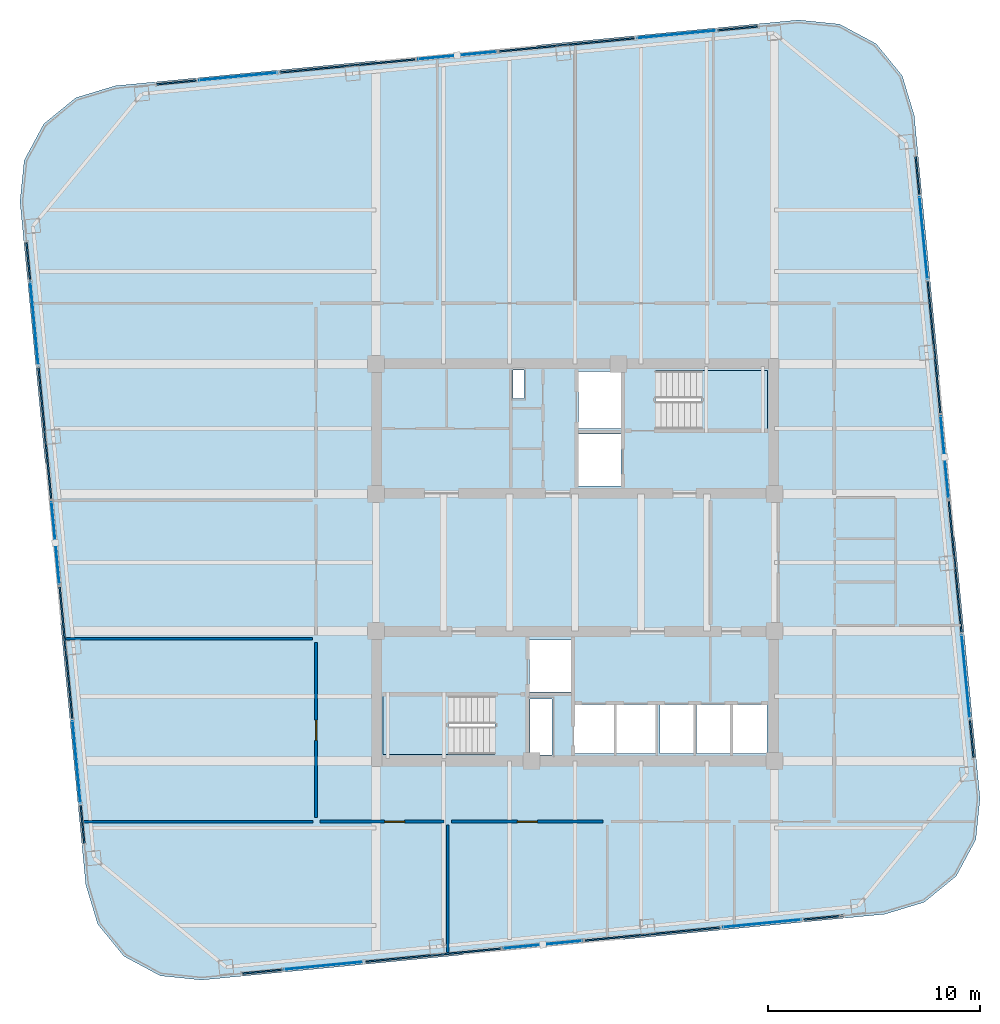
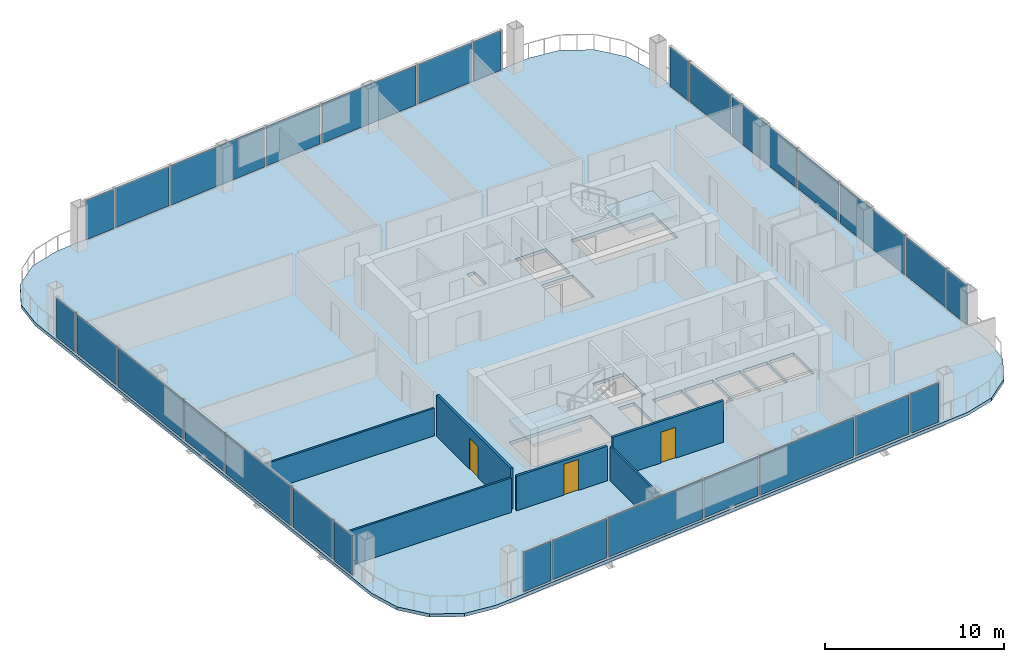
# One storey, part 16 of 22: 28 plates, 6 walls, 3 doors, 3 slabs, 3 openings, 30 elements without a shape of their own.
"""IFC4 building model written with IfcOpenShell, lengths in metres."""

from ifc_helpers import new_model, si_unit, direction, frame, frame_2d, origin, origin_2d, place, context, subcontext, project, spatial, polyline, rectangle, outline, extrude, material, layer, layer_set, type_object, element, fill, aggregate, save


model = new_model("IFC4")

# Units and contexts
model_context = context("Model", 3, precision=1e-05, world=origin(), true_north=direction((0.0, 1.0)))
body_context = subcontext(model_context, "Body", "Model", "MODEL_VIEW")
ifc_project = project(units=[si_unit("LENGTHUNIT", "METRE"), si_unit("AREAUNIT", "SQUARE_METRE"), si_unit("VOLUMEUNIT", "CUBIC_METRE"), si_unit("PLANEANGLEUNIT", "RADIAN"), si_unit("MASSUNIT", "GRAM", prefix="KILO")], contexts=[model_context])

# Site, building, storey
site_placement = place(None, origin())
site = spatial("IfcSite", under=ifc_project, at=site_placement, CompositionType="ELEMENT")
building_placement = place(site_placement, origin())
building = spatial("IfcBuilding", under=site, at=building_placement, Name="Qhalaya Broadcast Tower", CompositionType="ELEMENT")
storey_placement = place(building_placement, frame((0.0, 0.0, 174.449951171875)))
storey = spatial("IfcBuildingStorey", under=building, at=storey_placement, Name="L51", CompositionType="ELEMENT", Elevation=174.449951171875)

# Curtain wall, plate
ifc_material_1 = material(Name="Fired Architectural Terracotta", Category="masonry")
ifc_layer_1 = layer(ifc_material_1, 0.219970703125, Name="Fired Architectural Terracotta")
ifc_layer_set_1 = layer_set([ifc_layer_1], Name="Fired Architectural Terracotta")
curtain_wall_type_1 = type_object("IfcCurtainWallType", Name="Block-Cap Unitised Terracotta Spandrel Wall CW-07", PredefinedType="NOTDEFINED", material=ifc_layer_set_1)
curtain_wall_1_placement = place(storey_placement, origin())
curtain_wall_1 = element("IfcCurtainWall", 1, at=curtain_wall_1_placement, inside=storey, type_object=curtain_wall_type_1, Name="L51 Unitised Curtain Wall L51-CW-S1", PredefinedType="NOTDEFINED")
ifc_layer_2 = layer(ifc_material_1, 0.080078125, Name="Fired Architectural Terracotta")
ifc_layer_set_2 = layer_set([ifc_layer_2], Name="Fired Architectural Terracotta")
plate_type_1 = type_object("IfcPlateType", Name="Insulated Terracotta Spandrel Panel TSP-07", PredefinedType="CURTAIN_PANEL", material=ifc_layer_set_2)
plate_1_placement = place(storey_placement, frame((-14.751708984375, -18.666748046875, 0.0751953125), z_axis=(0.0, 0.0, 1.0), x_axis=(0.995396068977, 0.095847096282, 0.0)))
plate_1 = element("IfcPlate", 2, at=plate_1_placement, type_object=plate_type_1, Name="CW-07 panel 1.1", PredefinedType="CURTAIN_PANEL", context=body_context, shape_type="SweptSolid", body=[
    extrude(rectangle(XDim=1.873046875, YDim=0.080078125, at=origin_2d()), origin(), (0.0, 0.0, 1.0), 2.679931640625),
])
aggregate(curtain_wall_1, [plate_1])

curtain_wall_2_placement = place(storey_placement, origin())
curtain_wall_2 = element("IfcCurtainWall", 3, at=curtain_wall_2_placement, inside=storey, type_object=curtain_wall_type_1, Name="L51 Unitised Curtain Wall L51-CW-S3", PredefinedType="NOTDEFINED")
plate_2_placement = place(storey_placement, frame((-6.683837890625, -17.89013671875, 0.0751953125), z_axis=(0.0, 0.0, 1.0), x_axis=(0.995396395442, 0.095843705796, 0.0)))
plate_2 = element("IfcPlate", 4, at=plate_2_placement, type_object=plate_type_1, Name="CW-07 panel 1.1", PredefinedType="CURTAIN_PANEL", context=body_context, shape_type="SweptSolid", body=[
    extrude(rectangle(XDim=6.39501953125, YDim=0.080078125, at=origin_2d()), origin(), (0.0, 0.0, 1.0), 2.679931640625),
])
aggregate(curtain_wall_2, [plate_2])

curtain_wall_3_placement = place(storey_placement, origin())
curtain_wall_3 = element("IfcCurtainWall", 5, at=curtain_wall_3_placement, inside=storey, type_object=curtain_wall_type_1, Name="L51 Unitised Curtain Wall L51-CW-S5", PredefinedType="NOTDEFINED")
plate_3_placement = place(storey_placement, frame((3.63525390625, -16.896240234375, 0.0751953125), z_axis=(0.0, 0.0, 1.0), x_axis=(0.995396255089, 0.095845163439, 0.0)))
plate_3 = element("IfcPlate", 6, at=plate_3_placement, type_object=plate_type_1, Name="CW-07 panel 1.1", PredefinedType="CURTAIN_PANEL", context=body_context, shape_type="SweptSolid", body=[
    extrude(rectangle(XDim=6.39501953125, YDim=0.080078125, at=origin_2d()), origin(), (0.0, 0.0, 1.0), 2.679931640625),
])
aggregate(curtain_wall_3, [plate_3])

curtain_wall_4_placement = place(storey_placement, origin())
curtain_wall_4 = element("IfcCurtainWall", 7, at=curtain_wall_4_placement, inside=storey, type_object=curtain_wall_type_1, Name="L51 Unitised Curtain Wall L51-CW-S7", PredefinedType="NOTDEFINED")
plate_4_placement = place(storey_placement, frame((11.702880859375, -16.11962890625, 0.0751953125), z_axis=(0.0, 0.0, 1.0), x_axis=(0.995396068977, 0.095847096282, 0.0)))
plate_4 = element("IfcPlate", 8, at=plate_4_placement, type_object=plate_type_1, Name="CW-07 panel 1.1", PredefinedType="CURTAIN_PANEL", context=body_context, shape_type="SweptSolid", body=[
    extrude(rectangle(XDim=1.873046875, YDim=0.080078125, at=origin_2d()), origin(), (0.0, 0.0, 1.0), 2.679931640625),
])
aggregate(curtain_wall_4, [plate_4])

curtain_wall_5_placement = place(storey_placement, origin())
curtain_wall_5 = element("IfcCurtainWall", 9, at=curtain_wall_5_placement, inside=storey, type_object=curtain_wall_type_1, Name="L51 Unitised Curtain Wall L51-CW-E1", PredefinedType="NOTDEFINED")
plate_5_placement = place(storey_placement, frame((18.671142578125, -7.716552734375, 0.0751953125), z_axis=(0.0, 0.0, 1.0), x_axis=(-0.095861254071, 0.995394705616, 0.0)))
plate_5 = element("IfcPlate", 10, at=plate_5_placement, type_object=plate_type_1, Name="CW-07 panel 1.1", PredefinedType="CURTAIN_PANEL", context=body_context, shape_type="SweptSolid", body=[
    extrude(rectangle(XDim=1.782958984375, YDim=0.080078125, at=origin_2d()), origin(), (0.0, 0.0, 1.0), 2.679931640625),
])
aggregate(curtain_wall_5, [plate_5])

curtain_wall_6_placement = place(storey_placement, origin())
curtain_wall_6 = element("IfcCurtainWall", 11, at=curtain_wall_6_placement, inside=storey, type_object=curtain_wall_type_1, Name="L51 Unitised Curtain Wall L51-CW-E3", PredefinedType="NOTDEFINED")
plate_6_placement = place(storey_placement, frame((17.889892578125, 0.39599609375, 0.0751953125), z_axis=(0.0, 0.0, 1.0), x_axis=(-0.095836642528, 0.995397075518, 0.0)))
plate_6 = element("IfcPlate", 12, at=plate_6_placement, type_object=plate_type_1, Name="CW-07 panel 1.1", PredefinedType="CURTAIN_PANEL", context=body_context, shape_type="SweptSolid", body=[
    extrude(rectangle(XDim=6.215087890625, YDim=0.080078125, at=origin_2d()), origin(), (0.0, 0.0, 1.0), 2.679931640625),
])
aggregate(curtain_wall_6, [plate_6])

curtain_wall_7_placement = place(storey_placement, origin())
curtain_wall_7 = element("IfcCurtainWall", 13, at=curtain_wall_7_placement, inside=storey, type_object=curtain_wall_type_1, Name="L51 Unitised Curtain Wall L51-CW-E5", PredefinedType="NOTDEFINED")
plate_7_placement = place(storey_placement, frame((16.896240234375, 10.71533203125, 0.0751953125), z_axis=(0.0, 0.0, 1.0), x_axis=(-0.095853708125, 0.995395432297, 0.0)))
plate_7 = element("IfcPlate", 14, at=plate_7_placement, type_object=plate_type_1, Name="CW-07 panel 1.1", PredefinedType="CURTAIN_PANEL", context=body_context, shape_type="SweptSolid", body=[
    extrude(rectangle(XDim=6.21484375, YDim=0.080078125, at=origin_2d()), origin(), (0.0, 0.0, 1.0), 2.679931640625),
])
aggregate(curtain_wall_7, [plate_7])

curtain_wall_8_placement = place(storey_placement, origin())
curtain_wall_8 = element("IfcCurtainWall", 15, at=curtain_wall_8_placement, inside=storey, type_object=curtain_wall_type_1, Name="L51 Unitised Curtain Wall L51-CW-E7", PredefinedType="NOTDEFINED")
plate_8_placement = place(storey_placement, frame((16.115234375, 18.82763671875, 0.0751953125), z_axis=(0.0, 0.0, 1.0), x_axis=(-0.095861254071, 0.995394705616, 0.0)))
plate_8 = element("IfcPlate", 16, at=plate_8_placement, type_object=plate_type_1, Name="CW-07 panel 1.1", PredefinedType="CURTAIN_PANEL", context=body_context, shape_type="SweptSolid", body=[
    extrude(rectangle(XDim=1.782958984375, YDim=0.080078125, at=origin_2d()), origin(), (0.0, 0.0, 1.0), 2.679931640625),
])
aggregate(curtain_wall_8, [plate_8])

curtain_wall_9_placement = place(storey_placement, origin())
curtain_wall_9 = element("IfcCurtainWall", 17, at=curtain_wall_9_placement, inside=storey, type_object=curtain_wall_type_1, Name="L51 Unitised Curtain Wall L51-CW-N1", PredefinedType="NOTDEFINED")
plate_9_placement = place(storey_placement, frame((7.671630859375, 25.746826171875, 0.0751953125), z_axis=(0.0, 0.0, 1.0), x_axis=(-0.995396068977, -0.095847096282, 0.0)))
plate_9 = element("IfcPlate", 18, at=plate_9_placement, type_object=plate_type_1, Name="CW-07 panel 1.1", PredefinedType="CURTAIN_PANEL", context=body_context, shape_type="SweptSolid", body=[
    extrude(rectangle(XDim=1.873046875, YDim=0.080078125, at=origin_2d()), origin(), (0.0, 0.0, 1.0), 2.679931640625),
])
aggregate(curtain_wall_9, [plate_9])

curtain_wall_10_placement = place(storey_placement, origin())
curtain_wall_10 = element("IfcCurtainWall", 19, at=curtain_wall_10_placement, inside=storey, type_object=curtain_wall_type_1, Name="L51 Unitised Curtain Wall L51-CW-N3", PredefinedType="NOTDEFINED")
plate_10_placement = place(storey_placement, frame((-0.39599609375, 24.969970703125, 0.0751953125), z_axis=(0.0, 0.0, 1.0), x_axis=(-0.995396395442, -0.095843705796, 0.0)))
plate_10 = element("IfcPlate", 20, at=plate_10_placement, type_object=plate_type_1, Name="CW-07 panel 1.1", PredefinedType="CURTAIN_PANEL", context=body_context, shape_type="SweptSolid", body=[
    extrude(rectangle(XDim=6.39501953125, YDim=0.080078125, at=origin_2d()), origin(), (0.0, 0.0, 1.0), 2.679931640625),
])
aggregate(curtain_wall_10, [plate_10])

curtain_wall_11_placement = place(storey_placement, origin())
curtain_wall_11 = element("IfcCurtainWall", 21, at=curtain_wall_11_placement, inside=storey, type_object=curtain_wall_type_1, Name="L51 Unitised Curtain Wall L51-CW-N5", PredefinedType="NOTDEFINED")
plate_11_placement = place(storey_placement, frame((-10.71533203125, 23.976318359375, 0.0751953125), z_axis=(0.0, 0.0, 1.0), x_axis=(-0.995396255089, -0.095845163439, 0.0)))
plate_11 = element("IfcPlate", 22, at=plate_11_placement, type_object=plate_type_1, Name="CW-07 panel 1.1", PredefinedType="CURTAIN_PANEL", context=body_context, shape_type="SweptSolid", body=[
    extrude(rectangle(XDim=6.39501953125, YDim=0.080078125, at=origin_2d()), origin(), (0.0, 0.0, 1.0), 2.679931640625),
])
aggregate(curtain_wall_11, [plate_11])

curtain_wall_12_placement = place(storey_placement, origin())
curtain_wall_12 = element("IfcCurtainWall", 23, at=curtain_wall_12_placement, inside=storey, type_object=curtain_wall_type_1, Name="L51 Unitised Curtain Wall L51-CW-N7", PredefinedType="NOTDEFINED")
plate_12_placement = place(storey_placement, frame((-18.782958984375, 23.199462890625, 0.0751953125), z_axis=(0.0, 0.0, 1.0), x_axis=(-0.995396068977, -0.095847096282, 0.0)))
plate_12 = element("IfcPlate", 24, at=plate_12_placement, type_object=plate_type_1, Name="CW-07 panel 1.1", PredefinedType="CURTAIN_PANEL", context=body_context, shape_type="SweptSolid", body=[
    extrude(rectangle(XDim=1.873046875, YDim=0.080078125, at=origin_2d()), origin(), (0.0, 0.0, 1.0), 2.679931640625),
])
aggregate(curtain_wall_12, [plate_12])

curtain_wall_13_placement = place(storey_placement, origin())
curtain_wall_13 = element("IfcCurtainWall", 25, at=curtain_wall_13_placement, inside=storey, type_object=curtain_wall_type_1, Name="L51 Unitised Curtain Wall L51-CW-W1", PredefinedType="NOTDEFINED")
plate_13_placement = place(storey_placement, frame((-25.751220703125, 14.79638671875, 0.0751953125), z_axis=(0.0, 0.0, 1.0), x_axis=(0.095861254071, -0.995394705616, 0.0)))
plate_13 = element("IfcPlate", 26, at=plate_13_placement, type_object=plate_type_1, Name="CW-07 panel 1.1", PredefinedType="CURTAIN_PANEL", context=body_context, shape_type="SweptSolid", body=[
    extrude(rectangle(XDim=1.782958984375, YDim=0.080078125, at=origin_2d()), origin(), (0.0, 0.0, 1.0), 2.679931640625),
])
aggregate(curtain_wall_13, [plate_13])

curtain_wall_14_placement = place(storey_placement, origin())
curtain_wall_14 = element("IfcCurtainWall", 27, at=curtain_wall_14_placement, inside=storey, type_object=curtain_wall_type_1, Name="L51 Unitised Curtain Wall L51-CW-W3", PredefinedType="NOTDEFINED")
plate_14_placement = place(storey_placement, frame((-24.969970703125, 6.683837890625, 0.0751953125), z_axis=(0.0, 0.0, 1.0), x_axis=(0.095836642528, -0.995397075518, 0.0)))
plate_14 = element("IfcPlate", 28, at=plate_14_placement, type_object=plate_type_1, Name="CW-07 panel 1.1", PredefinedType="CURTAIN_PANEL", context=body_context, shape_type="SweptSolid", body=[
    extrude(rectangle(XDim=6.215087890625, YDim=0.080078125, at=origin_2d()), origin(), (0.0, 0.0, 1.0), 2.679931640625),
])
aggregate(curtain_wall_14, [plate_14])

curtain_wall_15_placement = place(storey_placement, origin())
curtain_wall_15 = element("IfcCurtainWall", 29, at=curtain_wall_15_placement, inside=storey, type_object=curtain_wall_type_1, Name="L51 Unitised Curtain Wall L51-CW-W5", PredefinedType="NOTDEFINED")
plate_15_placement = place(storey_placement, frame((-23.976318359375, -3.63525390625, 0.0751953125), z_axis=(0.0, 0.0, 1.0), x_axis=(0.095853708125, -0.995395432297, 0.0)))
plate_15 = element("IfcPlate", 30, at=plate_15_placement, type_object=plate_type_1, Name="CW-07 panel 1.1", PredefinedType="CURTAIN_PANEL", context=body_context, shape_type="SweptSolid", body=[
    extrude(rectangle(XDim=6.21484375, YDim=0.080078125, at=origin_2d()), origin(), (0.0, 0.0, 1.0), 2.679931640625),
])
aggregate(curtain_wall_15, [plate_15])

curtain_wall_16_placement = place(storey_placement, origin())
curtain_wall_16 = element("IfcCurtainWall", 31, at=curtain_wall_16_placement, inside=storey, type_object=curtain_wall_type_1, Name="L51 Unitised Curtain Wall L51-CW-W7", PredefinedType="NOTDEFINED")
plate_16_placement = place(storey_placement, frame((-23.1953125, -11.747802734375, 0.0751953125), z_axis=(0.0, 0.0, 1.0), x_axis=(0.095861254071, -0.995394705616, 0.0)))
plate_16 = element("IfcPlate", 32, at=plate_16_placement, type_object=plate_type_1, Name="CW-07 panel 1.1", PredefinedType="CURTAIN_PANEL", context=body_context, shape_type="SweptSolid", body=[
    extrude(rectangle(XDim=1.782958984375, YDim=0.080078125, at=origin_2d()), origin(), (0.0, 0.0, 1.0), 2.679931640625),
])
aggregate(curtain_wall_16, [plate_16])

ifc_material_2 = material(Name="Solar-Control Low-E Triple Glazing", Category="glass")
ifc_layer_3 = layer(ifc_material_2, 0.219970703125, Name="Solar-Control Low-E Triple Glazing")
ifc_layer_set_3 = layer_set([ifc_layer_3], Name="Solar-Control Low-E Triple Glazing")
curtain_wall_type_2 = type_object("IfcCurtainWallType", Name="Even-Block 4-Storey Double-Module Curtain Wall CW-03", PredefinedType="NOTDEFINED", material=ifc_layer_set_3)
curtain_wall_17_placement = place(storey_placement, origin())
curtain_wall_17 = element("IfcCurtainWall", 33, at=curtain_wall_17_placement, inside=storey, type_object=curtain_wall_type_2, Name="L51 Unitised Curtain Wall L51-CW-S2", PredefinedType="NOTDEFINED")
ifc_layer_4 = layer(ifc_material_2, 0.035888671875, Name="Solar-Control Low-E Triple Glazing")
ifc_layer_set_4 = layer_set([ifc_layer_4], Name="Solar-Control Low-E Triple Glazing")
plate_type_2 = type_object("IfcPlateType", Name="Solar-Control Curtain Glazing Panel GLP-03", PredefinedType="CURTAIN_PANEL", material=ifc_layer_set_4)
plate_17_placement = place(storey_placement, frame((-11.843017578125, -18.38671875, 0.0751953125), z_axis=(0.0, 0.0, 1.0), x_axis=(0.995396841683, 0.095839071198, 0.0)))
plate_17 = element("IfcPlate", 34, at=plate_17_placement, type_object=plate_type_2, Name="CW-03 panel 1.1", PredefinedType="CURTAIN_PANEL", context=body_context, shape_type="SweptSolid", body=[
    extrude(rectangle(XDim=3.6708984375, YDim=0.035888671875, at=origin_2d()), origin(), (0.0, 0.0, 1.0), 2.679931640625),
])
aggregate(curtain_wall_17, [plate_17])

curtain_wall_18_placement = place(storey_placement, origin())
curtain_wall_18 = element("IfcCurtainWall", 35, at=curtain_wall_18_placement, inside=storey, type_object=curtain_wall_type_2, Name="L51 Unitised Curtain Wall L51-CW-S4", PredefinedType="NOTDEFINED")
plate_18_placement = place(storey_placement, frame((-1.5244140625, -17.393310546875, 0.0751953125), z_axis=(0.0, 0.0, 1.0), x_axis=(0.995394252506, 0.095865958916, 0.0)))
plate_18 = element("IfcPlate", 36, at=plate_18_placement, type_object=plate_type_2, Name="CW-03 panel 1.1", PredefinedType="CURTAIN_PANEL", context=body_context, shape_type="SweptSolid", body=[
    extrude(rectangle(XDim=3.672119140625, YDim=0.035888671875, at=origin_2d()), origin(), (0.0, 0.0, 1.0), 2.679931640625),
])
aggregate(curtain_wall_18, [plate_18])

curtain_wall_19_placement = place(storey_placement, origin())
curtain_wall_19 = element("IfcCurtainWall", 37, at=curtain_wall_19_placement, inside=storey, type_object=curtain_wall_type_2, Name="L51 Unitised Curtain Wall L51-CW-S6", PredefinedType="NOTDEFINED")
plate_19_placement = place(storey_placement, frame((8.79443359375, -16.399658203125, 0.0751953125), z_axis=(0.0, 0.0, 1.0), x_axis=(0.995396841683, 0.095839071198, 0.0)))
plate_19 = element("IfcPlate", 38, at=plate_19_placement, type_object=plate_type_2, Name="CW-03 panel 1.1", PredefinedType="CURTAIN_PANEL", context=body_context, shape_type="SweptSolid", body=[
    extrude(rectangle(XDim=3.6708984375, YDim=0.035888671875, at=origin_2d()), origin(), (0.0, 0.0, 1.0), 2.679931640625),
])
aggregate(curtain_wall_19, [plate_19])

curtain_wall_20_placement = place(storey_placement, origin())
curtain_wall_20 = element("IfcCurtainWall", 39, at=curtain_wall_20_placement, inside=storey, type_object=curtain_wall_type_2, Name="L51 Unitised Curtain Wall L51-CW-E2", PredefinedType="NOTDEFINED")
plate_20_placement = place(storey_placement, frame((18.38671875, -4.76318359375, 0.0751953125), z_axis=(0.0, 0.0, 1.0), x_axis=(-0.095850516284, 0.995395739657, 0.0)))
plate_20 = element("IfcPlate", 40, at=plate_20_placement, type_object=plate_type_2, Name="CW-03 panel 1.1", PredefinedType="CURTAIN_PANEL", context=body_context, shape_type="SweptSolid", body=[
    extrude(rectangle(XDim=3.85107421875, YDim=0.035888671875, at=origin_2d()), origin(), (0.0, 0.0, 1.0), 2.679931640625),
])
aggregate(curtain_wall_20, [plate_20])

curtain_wall_21_placement = place(storey_placement, origin())
curtain_wall_21 = element("IfcCurtainWall", 41, at=curtain_wall_21_placement, inside=storey, type_object=curtain_wall_type_2, Name="L51 Unitised Curtain Wall L51-CW-E4", PredefinedType="NOTDEFINED")
plate_21_placement = place(storey_placement, frame((17.393310546875, 5.5556640625, 0.0751953125), z_axis=(0.0, 0.0, 1.0), x_axis=(-0.095851433835, 0.995395651302, 0.0)))
plate_21 = element("IfcPlate", 42, at=plate_21_placement, type_object=plate_type_2, Name="CW-03 panel 1.1", PredefinedType="CURTAIN_PANEL", context=body_context, shape_type="SweptSolid", body=[
    extrude(rectangle(XDim=3.85205078125, YDim=0.035888671875, at=origin_2d()), origin(), (0.0, 0.0, 1.0), 2.679931640625),
])
aggregate(curtain_wall_21, [plate_21])

curtain_wall_22_placement = place(storey_placement, origin())
curtain_wall_22 = element("IfcCurtainWall", 43, at=curtain_wall_22_placement, inside=storey, type_object=curtain_wall_type_2, Name="L51 Unitised Curtain Wall L51-CW-E6", PredefinedType="NOTDEFINED")
plate_22_placement = place(storey_placement, frame((16.399658203125, 15.87451171875, 0.0751953125), z_axis=(0.0, 0.0, 1.0), x_axis=(-0.095825752198, 0.995398123976, 0.0)))
plate_22 = element("IfcPlate", 44, at=plate_22_placement, type_object=plate_type_2, Name="CW-03 panel 1.1", PredefinedType="CURTAIN_PANEL", context=body_context, shape_type="SweptSolid", body=[
    extrude(rectangle(XDim=3.85107421875, YDim=0.035888671875, at=origin_2d()), origin(), (0.0, 0.0, 1.0), 2.679931640625),
])
aggregate(curtain_wall_22, [plate_22])

curtain_wall_23_placement = place(storey_placement, origin())
curtain_wall_23 = element("IfcCurtainWall", 45, at=curtain_wall_23_placement, inside=storey, type_object=curtain_wall_type_2, Name="L51 Unitised Curtain Wall L51-CW-N2", PredefinedType="NOTDEFINED")
plate_23_placement = place(storey_placement, frame((4.76318359375, 25.466796875, 0.0751953125), z_axis=(0.0, 0.0, 1.0), x_axis=(-0.995396841683, -0.095839071198, 0.0)))
plate_23 = element("IfcPlate", 46, at=plate_23_placement, type_object=plate_type_2, Name="CW-03 panel 1.1", PredefinedType="CURTAIN_PANEL", context=body_context, shape_type="SweptSolid", body=[
    extrude(rectangle(XDim=3.6708984375, YDim=0.035888671875, at=origin_2d()), origin(), (0.0, 0.0, 1.0), 2.679931640625),
])
aggregate(curtain_wall_23, [plate_23])

curtain_wall_24_placement = place(storey_placement, origin())
curtain_wall_24 = element("IfcCurtainWall", 47, at=curtain_wall_24_placement, inside=storey, type_object=curtain_wall_type_2, Name="L51 Unitised Curtain Wall L51-CW-N4", PredefinedType="NOTDEFINED")
plate_24_placement = place(storey_placement, frame((-5.5556640625, 24.47314453125, 0.0751953125), z_axis=(0.0, 0.0, 1.0), x_axis=(-0.995394252506, -0.095865958916, 0.0)))
plate_24 = element("IfcPlate", 48, at=plate_24_placement, type_object=plate_type_2, Name="CW-03 panel 1.1", PredefinedType="CURTAIN_PANEL", context=body_context, shape_type="SweptSolid", body=[
    extrude(rectangle(XDim=3.672119140625, YDim=0.035888671875, at=origin_2d()), origin(), (0.0, 0.0, 1.0), 2.679931640625),
])
aggregate(curtain_wall_24, [plate_24])

curtain_wall_25_placement = place(storey_placement, origin())
curtain_wall_25 = element("IfcCurtainWall", 49, at=curtain_wall_25_placement, inside=storey, type_object=curtain_wall_type_2, Name="L51 Unitised Curtain Wall L51-CW-N6", PredefinedType="NOTDEFINED")
plate_25_placement = place(storey_placement, frame((-15.87451171875, 23.4794921875, 0.0751953125), z_axis=(0.0, 0.0, 1.0), x_axis=(-0.995396841683, -0.095839071198, 0.0)))
plate_25 = element("IfcPlate", 50, at=plate_25_placement, type_object=plate_type_2, Name="CW-03 panel 1.1", PredefinedType="CURTAIN_PANEL", context=body_context, shape_type="SweptSolid", body=[
    extrude(rectangle(XDim=3.6708984375, YDim=0.035888671875, at=origin_2d()), origin(), (0.0, 0.0, 1.0), 2.679931640625),
])
aggregate(curtain_wall_25, [plate_25])

curtain_wall_26_placement = place(storey_placement, origin())
curtain_wall_26 = element("IfcCurtainWall", 51, at=curtain_wall_26_placement, inside=storey, type_object=curtain_wall_type_2, Name="L51 Unitised Curtain Wall L51-CW-W2", PredefinedType="NOTDEFINED")
plate_26_placement = place(storey_placement, frame((-25.466796875, 11.843017578125, 0.0751953125), z_axis=(0.0, 0.0, 1.0), x_axis=(0.095850516284, -0.995395739657, 0.0)))
plate_26 = element("IfcPlate", 52, at=plate_26_placement, type_object=plate_type_2, Name="CW-03 panel 1.1", PredefinedType="CURTAIN_PANEL", context=body_context, shape_type="SweptSolid", body=[
    extrude(rectangle(XDim=3.85107421875, YDim=0.035888671875, at=origin_2d()), origin(), (0.0, 0.0, 1.0), 2.679931640625),
])
aggregate(curtain_wall_26, [plate_26])

curtain_wall_27_placement = place(storey_placement, origin())
curtain_wall_27 = element("IfcCurtainWall", 53, at=curtain_wall_27_placement, inside=storey, type_object=curtain_wall_type_2, Name="L51 Unitised Curtain Wall L51-CW-W4", PredefinedType="NOTDEFINED")
plate_27_placement = place(storey_placement, frame((-24.47314453125, 1.5244140625, 0.0751953125), z_axis=(0.0, 0.0, 1.0), x_axis=(0.095851433835, -0.995395651302, 0.0)))
plate_27 = element("IfcPlate", 54, at=plate_27_placement, type_object=plate_type_2, Name="CW-03 panel 1.1", PredefinedType="CURTAIN_PANEL", context=body_context, shape_type="SweptSolid", body=[
    extrude(rectangle(XDim=3.85205078125, YDim=0.035888671875, at=origin_2d()), origin(), (0.0, 0.0, 1.0), 2.679931640625),
])
aggregate(curtain_wall_27, [plate_27])

curtain_wall_28_placement = place(storey_placement, origin())
curtain_wall_28 = element("IfcCurtainWall", 55, at=curtain_wall_28_placement, inside=storey, type_object=curtain_wall_type_2, Name="L51 Unitised Curtain Wall L51-CW-W6", PredefinedType="NOTDEFINED")
plate_28_placement = place(storey_placement, frame((-23.4794921875, -8.79443359375, 0.0751953125), z_axis=(0.0, 0.0, 1.0), x_axis=(0.095825752198, -0.995398123976, 0.0)))
plate_28 = element("IfcPlate", 56, at=plate_28_placement, type_object=plate_type_2, Name="CW-03 panel 1.1", PredefinedType="CURTAIN_PANEL", context=body_context, shape_type="SweptSolid", body=[
    extrude(rectangle(XDim=3.85107421875, YDim=0.035888671875, at=origin_2d()), origin(), (0.0, 0.0, 1.0), 2.679931640625),
])
aggregate(curtain_wall_28, [plate_28])

# Stair, slab
ifc_material_3 = material(Name="Concrete C40/50", Category="concrete")
stair_type = type_object("IfcStairType", Name="Protected Dogleg Core Stair 3150", PredefinedType="TWO_STRAIGHT_RUN_STAIR", material=ifc_material_3)
stair_1_placement = place(storey_placement, origin())
stair_1 = element("IfcStair", 57, at=stair_1_placement, inside=storey, type_object=stair_type, Name="L51 North Core Exit Stair ST-1", PredefinedType="TWO_STRAIGHT_RUN_STAIR")
ifc_layer_5 = layer(ifc_material_3, 0.199951171875, Name="Concrete C40/50")
ifc_layer_set_5 = layer_set([ifc_layer_5], Name="Concrete C40/50")
slab_type_1 = type_object("IfcSlabType", Name="Stair & Ramp Half-Landing Slab 200", PredefinedType="LANDING", material=ifc_layer_set_5)
slab_1_placement = place(storey_placement, frame((0.0, 0.0, 1.324951171875)))
slab_1 = element("IfcSlab", 58, at=slab_1_placement, type_object=slab_type_1, Name="ST-1 landing 1", PredefinedType="LANDING", context=body_context, shape_type="SweptSolid", body=[
    extrude(outline(polyline([(5.955078125, 6.8798828125), (9.050048828125, 6.8798828125), (9.050048828125, 9.639892578125), (5.955078125, 9.639892578125), (5.955078125, 6.8798828125)])), origin(), (0.0, 0.0, 1.0), 0.2001953125),
])
aggregate(stair_1, [slab_1])

stair_2_placement = place(storey_placement, origin())
stair_2 = element("IfcStair", 59, at=stair_2_placement, inside=storey, type_object=stair_type, Name="L51 South Core Exit Stair ST-2", PredefinedType="TWO_STRAIGHT_RUN_STAIR")
slab_2_placement = place(storey_placement, frame((0.0, 0.0, 1.324951171875)))
slab_2 = element("IfcSlab", 60, at=slab_2_placement, type_object=slab_type_1, Name="ST-2 landing 1", PredefinedType="LANDING", context=body_context, shape_type="SweptSolid", body=[
    extrude(outline(polyline([(-5.955078125, -5.679931640625), (-9.050048828125, -5.679931640625), (-9.050048828125, -8.43994140625), (-5.955078125, -8.43994140625), (-5.955078125, -5.679931640625)])), origin(), (0.0, 0.0, 1.0), 0.2001953125),
])
aggregate(stair_2, [slab_2])

# Slab
ifc_layer_6 = layer(ifc_material_3, 0.219970703125, Name="Concrete C40/50")
ifc_layer_set_6 = layer_set([ifc_layer_6], Name="Concrete C40/50")
slab_type_2 = type_object("IfcSlabType", Name="Tower Composite Floor Slab 220", PredefinedType="FLOOR", material=ifc_layer_set_6)
slab_3_placement = place(storey_placement, frame((0.0, 0.0, -0.219970703125)))
element("IfcSlab", 61, at=slab_3_placement, inside=storey, type_object=slab_type_2, Name="L51 Main Structural Floor Slab", PredefinedType="FLOOR", context=body_context, shape_type="SweptSolid", body=[
    extrude(outline(polyline([(14.562744140625, -15.964599609375), (16.430908203125, -15.402587890625), (17.941650390625, -14.168212890625), (18.864990234375, -12.44970703125), (19.060546875, -10.508544921875), (15.964599609375, 21.642822265625), (15.402587890625, 23.510986328125), (14.168212890625, 25.021728515625), (12.44970703125, 25.945068359375), (10.508544921875, 26.140380859375), (-21.642822265625, 23.044677734375), (-23.510986328125, 22.482421875), (-25.021728515625, 21.248046875), (-25.945068359375, 19.529541015625), (-26.140380859375, 17.58837890625), (-23.044677734375, -14.562744140625), (-22.482421875, -16.430908203125), (-21.248046875, -17.941650390625), (-19.529541015625, -18.864990234375), (-17.58837890625, -19.060546875), (14.562744140625, -15.964599609375)]), holes=[polyline([(3.784912109375, 9.639892578125), (9.050048828125, 9.639892578125), (9.050048828125, 6.8798828125), (3.784912109375, 6.8798828125), (3.784912109375, 9.639892578125)]), polyline([(-3.784912109375, -8.43994140625), (-9.050048828125, -8.43994140625), (-9.050048828125, -5.679931640625), (-3.784912109375, -5.679931640625), (-3.784912109375, -8.43994140625)]), polyline([(0.14990234375, 6.64990234375), (2.14990234375, 6.64990234375), (2.14990234375, 4.199951171875), (0.14990234375, 4.199951171875), (0.14990234375, 6.64990234375)]), polyline([(0.14990234375, 9.60009765625), (2.14990234375, 9.60009765625), (2.14990234375, 6.89990234375), (0.14990234375, 6.89990234375), (0.14990234375, 9.60009765625)]), polyline([(-2.14990234375, -3.050048828125), (-0.14990234375, -3.050048828125), (-0.14990234375, -5.5), (-2.14990234375, -5.5), (-2.14990234375, -3.050048828125)]), polyline([(-0.050048828125, -6.10009765625), (1.830078125, -6.10009765625), (1.830078125, -8.39990234375), (-0.050048828125, -8.39990234375), (-0.050048828125, -6.10009765625)]), polyline([(1.949951171875, -6.10009765625), (3.830078125, -6.10009765625), (3.830078125, -8.39990234375), (1.949951171875, -8.39990234375), (1.949951171875, -6.10009765625)]), polyline([(4.0, -6.10009765625), (5.60009765625, -6.10009765625), (5.60009765625, -8.39990234375), (4.0, -8.39990234375), (4.0, -6.10009765625)]), polyline([(5.719970703125, -6.10009765625), (7.320068359375, -6.10009765625), (7.320068359375, -8.39990234375), (5.719970703125, -8.39990234375), (5.719970703125, -6.10009765625)]), polyline([(7.43994140625, -6.10009765625), (9.0400390625, -6.10009765625), (9.0400390625, -8.39990234375), (7.43994140625, -8.39990234375), (7.43994140625, -6.10009765625)]), polyline([(-2.919921875, 9.659912109375), (-2.419921875, 9.659912109375), (-2.419921875, 8.320068359375), (-2.919921875, 8.320068359375), (-2.919921875, 9.659912109375)]), polyline([(-2.1201171875, -5.820068359375), (-1.080078125, -5.820068359375), (-1.080078125, -8.4599609375), (-2.1201171875, -8.4599609375), (-2.1201171875, -5.820068359375)])]), origin(), (0.0, 0.0, 1.0), 0.219970703125),
])

# Wall, opening, door
ifc_material_4 = material(Name="Gypsum Acoustic Partition")
ifc_layer_7 = layer(ifc_material_4, 0.14990234375, Name="Gypsum Acoustic Partition")
ifc_layer_set_7 = layer_set([ifc_layer_7], Name="Gypsum Acoustic Partition")
wall_type_1 = type_object("IfcWallType", Name="Corridor & Tenancy Acoustic Partition 150", PredefinedType="PARTITIONING", material=ifc_layer_set_7)
wall_1_placement = place(storey_placement, frame((-12.02001953125, -11.60009765625, 0.0), z_axis=(0.0, 0.0, 1.0), x_axis=(1.0, 0.0, 0.0)))
wall_1 = element("IfcWall", 62, at=wall_1_placement, inside=storey, type_object=wall_type_1, Name="L51 Partition Wall W-COR-05", PredefinedType="PARTITIONING", context=body_context, shape_type="SweptSolid", body=[
    extrude(rectangle(XDim=5.840087890625, YDim=0.14990234375, at=frame_2d((2.919921875, 0.0))), origin(), (0.0, 0.0, 1.0), 2.34716796875),
])
opening_1_placement = place(wall_1_placement, frame((3.044921875, 0.0, 0.0)))
opening_1 = element("IfcOpeningElement", 63, at=opening_1_placement, cuts=wall_1, Name="Opening D10", PredefinedType="OPENING", context=body_context, shape_type="SweptSolid", body=[
    extrude(rectangle(XDim=0.949951171875, YDim=2.10009765625, at=frame_2d((0.47509765625, 1.050048828125))), frame((0.0, 0.0869140625, 0.0), z_axis=(0.0, -1.0, 0.0), x_axis=(1.0, 0.0, 0.0)), (0.0, 0.0, 1.0), 0.173828125),
])
ifc_material_5 = material(Name="Timber Veneer Acoustic Door", Category="wood")
door_type = type_object("IfcDoorType", Name="Cellular Office & Edit Booth Door D10", OperationType="NOTDEFINED", PredefinedType="DOOR", material=ifc_material_5)
door_1_placement = place(opening_1_placement, origin())
door_1 = element("IfcDoor", 64, at=door_1_placement, inside=storey, type_object=door_type, Name="L51 Door D-RM05", OperationType="SINGLE_SWING_LEFT", OverallHeight=2.10009765625, OverallWidth=0.949951171875, PredefinedType="DOOR", context=body_context, shape_type="SweptSolid", body=[
    extrude(rectangle(XDim=0.949951171875, YDim=2.10009765625, at=frame_2d((0.47509765625, 1.050048828125))), frame((0.0, 0.02490234375, 0.0), z_axis=(0.0, -1.0, 0.0), x_axis=(1.0, 0.0, 0.0)), (0.0, 0.0, 1.0), 0.050048828125),
])
fill(opening_1, door_1)

wall_2_placement = place(storey_placement, frame((-5.820068359375, -11.60009765625, 0.0), z_axis=(0.0, 0.0, 1.0), x_axis=(1.0, 0.0, 0.0)))
wall_2 = element("IfcWall", 65, at=wall_2_placement, inside=storey, type_object=wall_type_1, Name="L51 Partition Wall W-COR-06", PredefinedType="PARTITIONING", context=body_context, shape_type="SweptSolid", body=[
    extrude(rectangle(XDim=7.14013671875, YDim=0.14990234375, at=frame_2d((3.570068359375, 0.0))), origin(), (0.0, 0.0, 1.0), 2.830078125),
])
opening_2_placement = place(wall_2_placement, frame((3.094970703125, 0.0, 0.0)))
opening_2 = element("IfcOpeningElement", 66, at=opening_2_placement, cuts=wall_2, Name="Opening D10", PredefinedType="OPENING", context=body_context, shape_type="SweptSolid", body=[
    extrude(rectangle(XDim=0.949951171875, YDim=2.10009765625, at=frame_2d((0.47509765625, 1.050048828125))), frame((0.0, 0.0869140625, 0.0), z_axis=(0.0, -1.0, 0.0), x_axis=(1.0, 0.0, 0.0)), (0.0, 0.0, 1.0), 0.173828125),
])
door_2_placement = place(opening_2_placement, origin())
door_2 = element("IfcDoor", 67, at=door_2_placement, inside=storey, type_object=door_type, Name="L51 Door D-RM06", OperationType="SINGLE_SWING_RIGHT", OverallHeight=2.10009765625, OverallWidth=0.949951171875, PredefinedType="DOOR", context=body_context, shape_type="SweptSolid", body=[
    extrude(rectangle(XDim=0.949951171875, YDim=2.10009765625, at=frame_2d((0.47509765625, 1.050048828125))), frame((0.0, 0.02490234375, 0.0), z_axis=(0.0, -1.0, 0.0), x_axis=(1.0, 0.0, 0.0)), (0.0, 0.0, 1.0), 0.050048828125),
])
fill(opening_2, door_2)

wall_3_placement = place(storey_placement, frame((-12.199951171875, -11.419921875, 0.0), z_axis=(0.0, 0.0, 1.0), x_axis=(0.0, 1.0, 0.0)))
wall_3 = element("IfcWall", 68, at=wall_3_placement, inside=storey, type_object=wall_type_1, Name="L51 Partition Wall W-COR-09", PredefinedType="PARTITIONING", context=body_context, shape_type="SweptSolid", body=[
    extrude(rectangle(XDim=8.239990234375, YDim=0.14990234375, at=frame_2d((4.1201171875, 0.0))), origin(), (0.0, 0.0, 1.0), 2.830078125),
])
opening_3_placement = place(wall_3_placement, frame((3.64501953125, 0.0, 0.0)))
opening_3 = element("IfcOpeningElement", 69, at=opening_3_placement, cuts=wall_3, Name="Opening D10", PredefinedType="OPENING", context=body_context, shape_type="SweptSolid", body=[
    extrude(rectangle(XDim=0.949951171875, YDim=2.10009765625, at=frame_2d((0.47509765625, 1.050048828125))), frame((0.0, 0.0869140625, 0.0), z_axis=(0.0, -1.0, 0.0), x_axis=(1.0, 0.0, 0.0)), (0.0, 0.0, 1.0), 0.173828125),
])
door_3_placement = place(opening_3_placement, origin())
door_3 = element("IfcDoor", 70, at=door_3_placement, inside=storey, type_object=door_type, Name="L51 Door D-RM09", OperationType="SINGLE_SWING_LEFT", OverallHeight=2.10009765625, OverallWidth=0.949951171875, PredefinedType="DOOR", context=body_context, shape_type="SweptSolid", body=[
    extrude(rectangle(XDim=0.949951171875, YDim=2.10009765625, at=frame_2d((0.47509765625, 1.050048828125))), frame((0.0, 0.02490234375, 0.0), z_axis=(0.0, -1.0, 0.0), x_axis=(1.0, 0.0, 0.0)), (0.0, 0.0, 1.0), 0.050048828125),
])
fill(opening_3, door_3)

# Walls
ifc_layer_8 = layer(ifc_material_4, 0.1201171875, Name="Gypsum Acoustic Partition")
ifc_layer_set_8 = layer_set([ifc_layer_8], Name="Gypsum Acoustic Partition")
wall_type_2 = type_object("IfcWallType", Name="Office, Booth & Sanitary Partition 120", PredefinedType="PARTITIONING", material=ifc_layer_set_8)
wall_4_placement = place(storey_placement, frame((-23.20947265625, -11.60009765625, 0.0), z_axis=(0.0, 0.0, 1.0), x_axis=(1.0, 0.0, 0.0)))
element("IfcWall", 71, at=wall_4_placement, inside=storey, type_object=wall_type_2, Name="L51 Partition Wall W-BNDW2", PredefinedType="PARTITIONING", context=body_context, shape_type="SweptSolid", body=[
    extrude(rectangle(XDim=10.869384765625, YDim=0.1201171875, at=frame_2d((5.4345703125, 0.0))), origin(), (0.0, 0.0, 1.0), 2.34716796875),
])
wall_5_placement = place(storey_placement, frame((-6.0, -17.82421875, 0.0), z_axis=(0.0, 0.0, 1.0), x_axis=(0.0, 1.0, 0.0)))
element("IfcWall", 72, at=wall_5_placement, inside=storey, type_object=wall_type_2, Name="L51 Partition Wall W-DIVS1", PredefinedType="PARTITIONING", context=body_context, shape_type="SweptSolid", body=[
    extrude(rectangle(XDim=6.064208984375, YDim=0.1201171875, at=frame_2d((3.0322265625, 0.0))), origin(), (0.0, 0.0, 1.0), 2.34716796875),
])
wall_6_placement = place(storey_placement, frame((-24.03759765625, -3.0, 0.0), z_axis=(0.0, 0.0, 1.0), x_axis=(1.0, 0.0, 0.0)))
element("IfcWall", 73, at=wall_6_placement, inside=storey, type_object=wall_type_2, Name="L51 Partition Wall W-DIVW1", PredefinedType="PARTITIONING", context=body_context, shape_type="SweptSolid", body=[
    extrude(rectangle(XDim=11.677490234375, YDim=0.1201171875, at=frame_2d((5.8388671875, 0.0))), origin(), (0.0, 0.0, 1.0), 1.883056640625),
])

save(model, "model.ifc")
